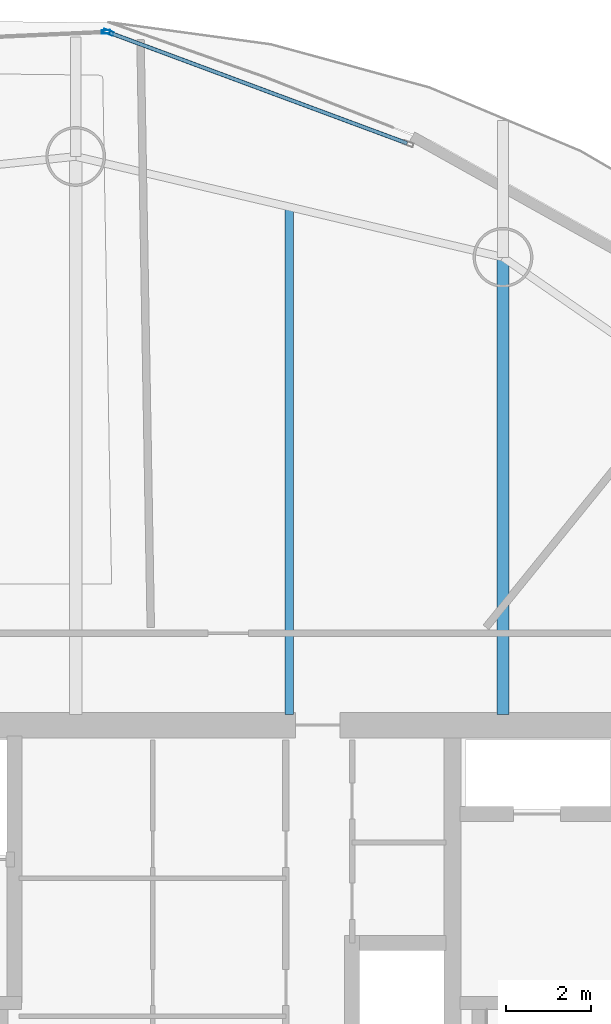
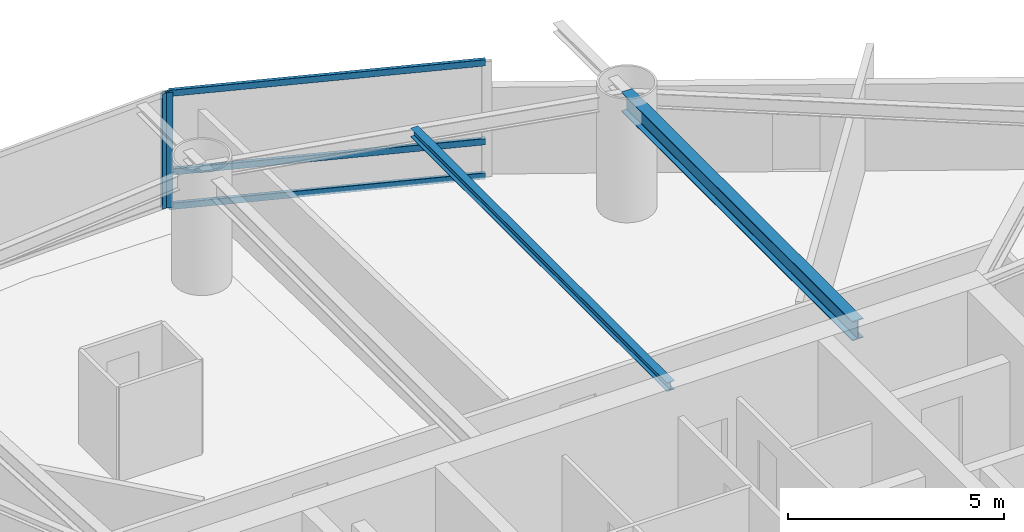
# One storey, part 10 of 19: 5 members, 2 beams, 2 elements without a shape of their own.
"""IFC4 building model written with IfcOpenShell, lengths in metres."""

from ifc_helpers import new_model, si_unit, direction, frame, origin, origin_2d, place, context, subcontext, project, spatial, hollow_rectangle, i_section, extrude, material, layer, layer_set, material_profile, profile_set, type_object, element, aggregate, save


model = new_model("IFC4")

# Units and contexts
model_context = context("Model", 3, precision=1e-05, world=origin(), true_north=direction((0.0, 1.0)))
body_context = subcontext(model_context, "Body", "Model", "MODEL_VIEW")
ifc_project = project(units=[si_unit("LENGTHUNIT", "METRE"), si_unit("AREAUNIT", "SQUARE_METRE"), si_unit("VOLUMEUNIT", "CUBIC_METRE"), si_unit("PLANEANGLEUNIT", "RADIAN"), si_unit("MASSUNIT", "GRAM", prefix="KILO")], contexts=[model_context])

# Site, building, storey
site_placement = place(None, origin())
site = spatial("IfcSite", under=ifc_project, at=site_placement, CompositionType="ELEMENT")
building_placement = place(site_placement, origin())
building = spatial("IfcBuilding", under=site, at=building_placement, Name="Bramvorn Convention Spire", CompositionType="ELEMENT")
storey_placement = place(building_placement, frame((0.0, 0.0, 109.800048828125)))
storey = spatial("IfcBuildingStorey", under=building, at=storey_placement, Name="L26", CompositionType="ELEMENT", Elevation=109.800048828125)

# Beams
ifc_material_1 = material(Name="Steel CSA G40.21 Grade 350 (350W)", Category="steel")
ifc_material_profile_1 = material_profile(ifc_material_1, i_section(OverallWidth=0.201904296875, OverallDepth=0.2470703125, WebThickness=0.00732421875, FlangeThickness=0.010986328125, FilletRadius=0.011962890625, at=origin_2d()))
ifc_profile_set_1 = profile_set([ifc_material_profile_1], Name="Steel CSA G40.21 Grade 350 (350W) - W250X49")
beam_type_1 = type_object("IfcBeamType", Name="BM-W250X49", PredefinedType="JOIST", material=ifc_profile_set_1)
beam_1_placement = place(storey_placement, frame((41.079345703125, 33.449951171875, 3.136474609375), z_axis=(0.0, 1.0, 0.0), x_axis=(-1.0, 0.0, 0.0)))
element("IfcBeam", 1, at=beam_1_placement, inside=storey, type_object=beam_type_1, Name="L26 composite floor joist 05", PredefinedType="JOIST", context=body_context, shape_type="SweptSolid", body=[
    extrude(i_section(OverallWidth=0.201904296875, OverallDepth=0.2470703125, WebThickness=0.00732421875, FlangeThickness=0.010986328125, FilletRadius=0.011962890625, at=origin_2d()), origin(), (0.0, 0.0, 1.0), 11.8857421875),
])
ifc_material_profile_2 = material_profile(ifc_material_1, i_section(OverallWidth=0.2919921875, OverallDepth=0.551025390625, WebThickness=0.01513671875, FlangeThickness=0.0244140625, FilletRadius=0.01904296875, at=origin_2d()))
ifc_profile_set_2 = profile_set([ifc_material_profile_2], Name="Steel CSA G40.21 Grade 350 (350W) - W530X182")
beam_type_2 = type_object("IfcBeamType", Name="BM-W530X182", PredefinedType="BEAM", material=ifc_profile_set_2)
beam_2_placement = place(storey_placement, frame((46.082763671875, 33.449951171875, 2.984375), z_axis=(0.0, 1.0, 0.0), x_axis=(-1.0, 0.0, 0.0)))
element("IfcBeam", 2, at=beam_2_placement, inside=storey, type_object=beam_type_2, Name="L26 radial floor girder MC05", PredefinedType="BEAM", context=body_context, shape_type="SweptSolid", body=[
    extrude(i_section(OverallWidth=0.2919921875, OverallDepth=0.551025390625, WebThickness=0.01513671875, FlangeThickness=0.0244140625, FilletRadius=0.01904296875, at=origin_2d()), origin(), (0.0, 0.0, 1.0), 10.7041015625),
])

# Curtain wall, member
ifc_material_2 = material(Name="Anodised Bronze Unitised Curtain Wall", Category="aluminium")
ifc_layer_1 = layer(ifc_material_2, 0.179931640625)
ifc_layer_set_1 = layer_set([ifc_layer_1], Name="Anodised Bronze Unitised Curtain Wall - CW-HTL-FRIT")
curtain_wall_type_1 = type_object("IfcCurtainWallType", Name="CW-HTL-FRIT", PredefinedType="USERDEFINED", material=ifc_layer_set_1)
curtain_wall_1_placement = place(storey_placement, origin())
curtain_wall_1 = element("IfcCurtainWall", 3, at=curtain_wall_1_placement, inside=storey, type_object=curtain_wall_type_1, Name="L26 fritted glass curtain wall 08", ObjectType="UNITISED CURTAIN WALL", PredefinedType="USERDEFINED")
ifc_material_3 = material(Name="Anodised Bronze Aluminium 6063-T6", Category="aluminium")
ifc_material_profile_3 = material_profile(ifc_material_3, hollow_rectangle(XDim=0.080078125, YDim=0.199951171875, WallThickness=0.00390625, InnerFilletRadius=0.0009765625, OuterFilletRadius=0.00390625, at=origin_2d()))
ifc_profile_set_3 = profile_set([ifc_material_profile_3], Name="Anodised Bronze Aluminium 6063-T6 - CWM80X200")
member_type_1 = type_object("IfcMemberType", Name="CW-MUL-180", PredefinedType="MULLION", material=ifc_profile_set_3)
member_1_placement = place(storey_placement, frame((36.782958984375, 49.434326171875, 0.0), z_axis=(0.0, 0.0, 1.0), x_axis=(-0.045354923993, 0.998970935948, 0.0)))
member_1 = element("IfcMember", 4, at=member_1_placement, type_object=member_type_1, Name="CW2 mullion 2", PredefinedType="MULLION", context=body_context, shape_type="SweptSolid", body=[
    extrude(hollow_rectangle(XDim=0.080078125, YDim=0.199951171875, WallThickness=0.00390625, InnerFilletRadius=0.0009765625, OuterFilletRadius=0.00390625, at=origin_2d()), origin(), (0.0, 0.0, 1.0), 3.260009765625),
])
aggregate(curtain_wall_1, [member_1])

# Curtain wall, members
ifc_layer_2 = layer(ifc_material_2, 0.219970703125)
ifc_layer_set_2 = layer_set([ifc_layer_2], Name="Anodised Bronze Unitised Curtain Wall - CW-SKYGARDEN")
curtain_wall_type_2 = type_object("IfcCurtainWallType", Name="CW-SKYGARDEN", PredefinedType="USERDEFINED", material=ifc_layer_set_2)
curtain_wall_2_placement = place(storey_placement, origin())
curtain_wall_2 = element("IfcCurtainWall", 5, at=curtain_wall_2_placement, inside=storey, type_object=curtain_wall_type_2, Name="L26 Sky Garden glazed facade 07", ObjectType="WINTER GARDEN GLAZING", PredefinedType="USERDEFINED")
ifc_material_profile_4 = material_profile(ifc_material_3, hollow_rectangle(XDim=0.090087890625, YDim=0.239990234375, WallThickness=0.00439453125, InnerFilletRadius=0.0009765625, OuterFilletRadius=0.00439453125, at=origin_2d()))
ifc_profile_set_4 = profile_set([ifc_material_profile_4], Name="Anodised Bronze Aluminium 6063-T6 - CWM90X240")
member_type_2 = type_object("IfcMemberType", Name="CW-MUL-220", PredefinedType="MULLION", material=ifc_profile_set_4)
member_2_placement = place(storey_placement, frame((36.841064453125, 49.42529296875, 0.0), z_axis=(0.0, 0.0, 1.0), x_axis=(0.348463028324, 0.937322526077, 0.0)))
member_2 = element("IfcMember", 6, at=member_2_placement, type_object=member_type_2, Name="CW4 mullion 1", PredefinedType="MULLION", context=body_context, shape_type="SweptSolid", body=[
    extrude(hollow_rectangle(XDim=0.090087890625, YDim=0.239990234375, WallThickness=0.00439453125, InnerFilletRadius=0.0009765625, OuterFilletRadius=0.00439453125, at=origin_2d()), origin(), (0.0, 0.0, 1.0), 3.260009765625),
])
ifc_material_profile_5 = material_profile(ifc_material_3, hollow_rectangle(XDim=0.090087890625, YDim=0.179931640625, WallThickness=0.00439453125, InnerFilletRadius=0.0009765625, OuterFilletRadius=0.00439453125, at=origin_2d()))
ifc_profile_set_5 = profile_set([ifc_material_profile_5], Name="Anodised Bronze Aluminium 6063-T6 - CWT90X180")
member_type_3 = type_object("IfcMemberType", Name="CW-TRN-180", PredefinedType="USERDEFINED", material=ifc_profile_set_5)
member_3_placement = place(storey_placement, frame((36.869140625, 49.414794921875, 0.030029296875), z_axis=(0.937325397067, -0.348455305619, 0.0), x_axis=(0.348455305619, 0.937325397067, 0.0)))
member_3 = element("IfcMember", 7, at=member_3_placement, type_object=member_type_3, Name="CW4 transom 1.1", ObjectType="TRANSOM", PredefinedType="USERDEFINED", context=body_context, shape_type="SweptSolid", body=[
    extrude(hollow_rectangle(XDim=0.090087890625, YDim=0.179931640625, WallThickness=0.00439453125, InnerFilletRadius=0.0009765625, OuterFilletRadius=0.00439453125, at=origin_2d()), origin(), (0.0, 0.0, 1.0), 7.4345703125),
])
member_4_placement = place(storey_placement, frame((36.869140625, 49.414794921875, 1.0), z_axis=(0.937325397067, -0.348455305619, 0.0), x_axis=(0.348455305619, 0.937325397067, 0.0)))
member_4 = element("IfcMember", 8, at=member_4_placement, type_object=member_type_3, Name="CW4 transom 1.2", ObjectType="TRANSOM", PredefinedType="USERDEFINED", context=body_context, shape_type="SweptSolid", body=[
    extrude(hollow_rectangle(XDim=0.090087890625, YDim=0.179931640625, WallThickness=0.00439453125, InnerFilletRadius=0.0009765625, OuterFilletRadius=0.00439453125, at=origin_2d()), origin(), (0.0, 0.0, 1.0), 7.4345703125),
])
member_5_placement = place(storey_placement, frame((36.869140625, 49.414794921875, 3.22998046875), z_axis=(0.937325397067, -0.348455305619, 0.0), x_axis=(0.348455305619, 0.937325397067, 0.0)))
member_5 = element("IfcMember", 9, at=member_5_placement, type_object=member_type_3, Name="CW4 transom 1.3", ObjectType="TRANSOM", PredefinedType="USERDEFINED", context=body_context, shape_type="SweptSolid", body=[
    extrude(hollow_rectangle(XDim=0.090087890625, YDim=0.179931640625, WallThickness=0.00439453125, InnerFilletRadius=0.0009765625, OuterFilletRadius=0.00439453125, at=origin_2d()), origin(), (0.0, 0.0, 1.0), 7.4345703125),
])
aggregate(curtain_wall_2, [member_2, member_3, member_4, member_5])

save(model, "model.ifc")
